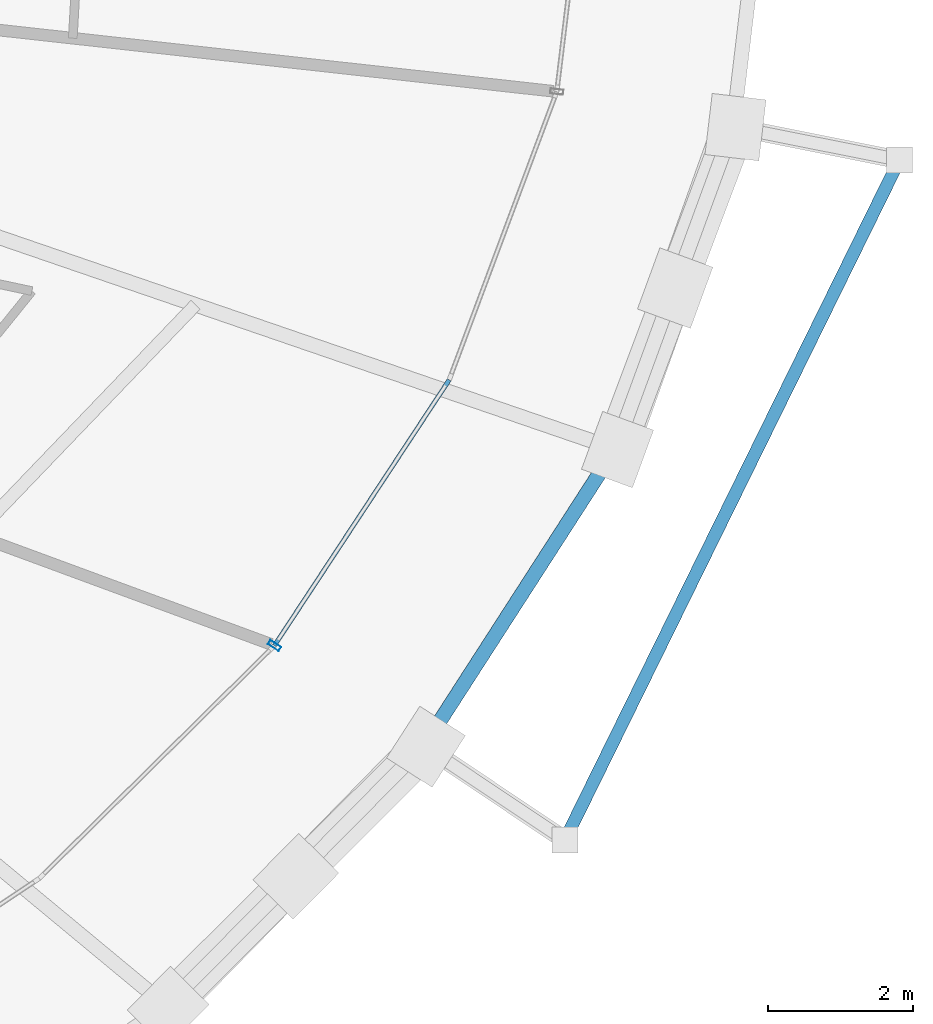
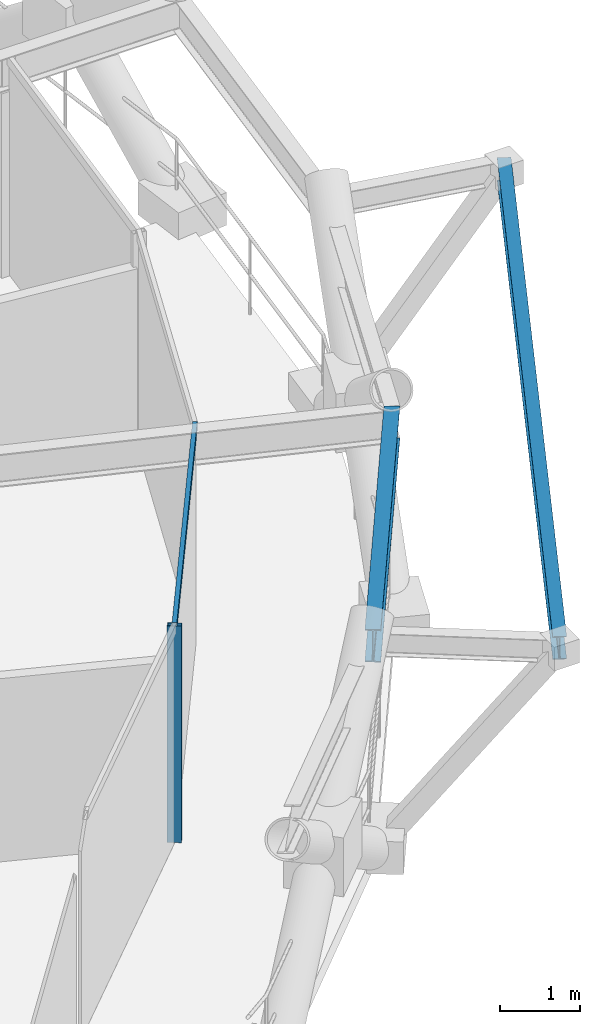
# One storey, part 7 of 21: 2 beams, 2 members, 1 element without a shape of its own.
"""IFC4 building model written with IfcOpenShell, lengths in metres."""

from ifc_helpers import new_model, si_unit, direction, frame, origin, origin_2d, place, context, subcontext, project, spatial, hollow_rectangle, i_section, extrude, material, layer, layer_set, material_profile, profile_set, type_object, element, aggregate, save


model = new_model("IFC4")

# Units and contexts
model_context = context("Model", 3, precision=1e-05, world=origin(), true_north=direction((0.0, 1.0)))
body_context = subcontext(model_context, "Body", "Model", "MODEL_VIEW")
ifc_project = project(units=[si_unit("LENGTHUNIT", "METRE"), si_unit("AREAUNIT", "SQUARE_METRE"), si_unit("VOLUMEUNIT", "CUBIC_METRE"), si_unit("PLANEANGLEUNIT", "RADIAN"), si_unit("MASSUNIT", "GRAM", prefix="KILO")], contexts=[model_context])

# Site, building, storey
site_placement = place(None, origin())
site = spatial("IfcSite", under=ifc_project, at=site_placement, CompositionType="ELEMENT")
building_placement = place(site_placement, origin())
building = spatial("IfcBuilding", under=site, at=building_placement, Name="Veldorina Hangang Commons", CompositionType="ELEMENT")
storey_placement = place(building_placement, frame((0.0, 0.0, 120.800048828125)))
storey = spatial("IfcBuildingStorey", under=building, at=storey_placement, Name="L30", CompositionType="ELEMENT", Elevation=120.800048828125)

# Beams
ifc_material_1 = material(Name="Steel SM355-TMC", Category="steel")
ifc_material_profile_1 = material_profile(ifc_material_1, i_section(OverallWidth=0.175048828125, OverallDepth=0.35009765625, WebThickness=0.007080078125, FlangeThickness=0.010986328125, FilletRadius=0.012939453125, at=origin_2d()), Name="H-350x175x7x11")
ifc_profile_set_1 = profile_set([ifc_material_profile_1], Name="Steel SM355-TMC")
beam_type_1 = type_object("IfcBeamType", Name="BM-FG350", PredefinedType="BEAM", material=ifc_profile_set_1)
beam_1_placement = place(storey_placement, frame((57.756103515625, 9.506103515625, 3.175048828125), z_axis=(0.441333493587, 0.897343160357, 0.0), x_axis=(-0.897343160357, 0.441333493587, 0.0)))
element("IfcBeam", 1, at=beam_1_placement, inside=storey, type_object=beam_type_1, Name="L31 tree balcony 2 outer rim beam", PredefinedType="BEAM", context=body_context, shape_type="SweptSolid", body=[
    extrude(i_section(OverallWidth=0.175048828125, OverallDepth=0.35009765625, WebThickness=0.007080078125, FlangeThickness=0.010986328125, FilletRadius=0.012939453125, at=origin_2d()), origin(), (0.0, 0.0, 1.0), 10.480224609375),
])
ifc_material_2 = material(Name="Steel SM420-TMC", Category="steel")
ifc_material_profile_2 = material_profile(ifc_material_2, i_section(OverallWidth=0.199951171875, OverallDepth=0.5, WebThickness=0.010009765625, FlangeThickness=0.01611328125, FilletRadius=0.01611328125, at=origin_2d()), Name="H-500x200x10x16")
ifc_profile_set_2 = profile_set([ifc_material_profile_2], Name="Steel SM420-TMC")
beam_type_2 = type_object("IfcBeamType", Name="BM-RB500", PredefinedType="BEAM", material=ifc_profile_set_2)
beam_2_placement = place(storey_placement, frame((55.806884765625, 10.809326171875, 3.099853515625), z_axis=(0.541770407584, 0.840526516813, 0.0), x_axis=(-0.840526516813, 0.541770407584, 0.0)))
element("IfcBeam", 2, at=beam_2_placement, inside=storey, type_object=beam_type_2, Name="L30 perimeter hoop ring beam 29", PredefinedType="BEAM", context=body_context, shape_type="SweptSolid", body=[
    extrude(i_section(OverallWidth=0.199951171875, OverallDepth=0.5, WebThickness=0.010009765625, FlangeThickness=0.01611328125, FilletRadius=0.01611328125, at=origin_2d()), origin(), (0.0, 0.0, 1.0), 4.883544921875),
])

# Curtain wall, members
ifc_material_3 = material(Name="Glass Low-E Triple IGU", Category="glass")
ifc_layer = layer(ifc_material_3, 0.179931640625)
ifc_layer_set = layer_set([ifc_layer], Name="Glass Low-E Triple IGU")
curtain_wall_type = type_object("IfcCurtainWallType", Name="CW-SYS-Z2", PredefinedType="NOTDEFINED", material=ifc_layer_set)
curtain_wall_placement = place(storey_placement, origin())
curtain_wall = element("IfcCurtainWall", 3, at=curtain_wall_placement, inside=storey, type_object=curtain_wall_type, Name="L30 unitised curtain wall CW-L30-R2", PredefinedType="NOTDEFINED")
ifc_material_4 = material(Name="Aluminium Anodized AA6063-T6", Category="aluminium")
ifc_material_profile_3 = material_profile(ifc_material_4, hollow_rectangle(XDim=0.070068359375, YDim=0.179931640625, WallThickness=0.00390625, at=origin_2d()), Name="ALU-RHS-180x70x4")
ifc_profile_set_3 = profile_set([ifc_material_profile_3], Name="Aluminium Anodized AA6063-T6")
member_type_1 = type_object("IfcMemberType", Name="CW-MUL-180", PredefinedType="MULLION", material=ifc_profile_set_3)
member_1_placement = place(storey_placement, frame((53.740478515625, 12.19580078125, 0.0), z_axis=(0.0, 0.0, 1.0), x_axis=(0.549562444327, 0.835452643652, 0.0)))
member_1 = element("IfcMember", 4, at=member_1_placement, type_object=member_type_1, Name="CW-L30-R2 vertical mullion 2", PredefinedType="MULLION", context=body_context, shape_type="SweptSolid", body=[
    extrude(hollow_rectangle(XDim=0.070068359375, YDim=0.179931640625, WallThickness=0.00390625, at=origin_2d()), origin(), (0.0, 0.0, 1.0), 3.31005859375),
])
ifc_material_profile_4 = material_profile(ifc_material_4, hollow_rectangle(XDim=0.06005859375, YDim=0.139892578125, WallThickness=0.00341796875, at=origin_2d()), Name="ALU-RHS-140x60x3.5")
ifc_profile_set_4 = profile_set([ifc_material_profile_4], Name="Aluminium Anodized AA6063-T6")
member_type_2 = type_object("IfcMemberType", Name="CW-TRN-140", PredefinedType="USERDEFINED", material=ifc_profile_set_4)
member_2_placement = place(storey_placement, frame((53.740478515625, 12.19580078125, 3.27001953125), z_axis=(0.549551230688, 0.835460019899, 0.0), x_axis=(-0.835460019899, 0.549551230688, 0.0)))
member_2 = element("IfcMember", 5, at=member_2_placement, type_object=member_type_2, Name="CW-L30-R2 facet 3 transom 1", ObjectType="TRANSOM", PredefinedType="USERDEFINED", context=body_context, shape_type="SweptSolid", body=[
    extrude(hollow_rectangle(XDim=0.06005859375, YDim=0.139892578125, WallThickness=0.00341796875, at=origin_2d()), origin(), (0.0, 0.0, 1.0), 4.396728515625),
])
aggregate(curtain_wall, [member_1, member_2])

save(model, "model.ifc")
